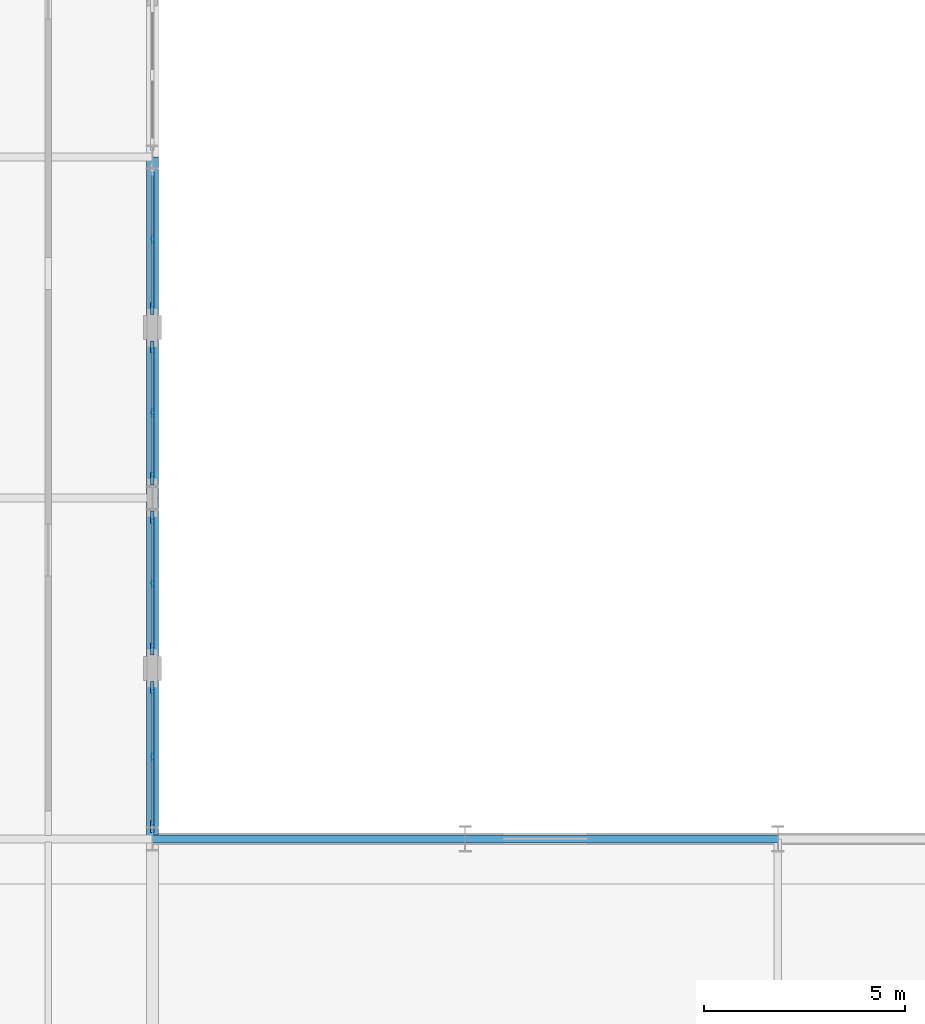
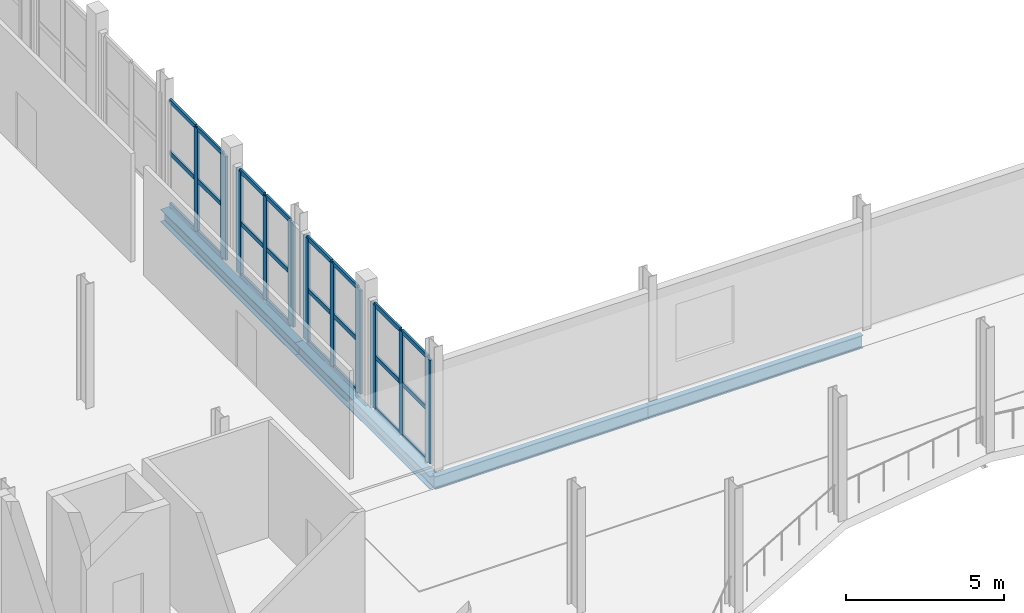
# One storey, part 18 of 63: 35 members, 4 beams, 4 elements without a shape of their own.
"""IFC4 building model written with IfcOpenShell, lengths in metres."""

from ifc_helpers import new_model, si_unit, direction, frame, origin, origin_2d, place, context, subcontext, project, spatial, rectangle, i_section, extrude, material, layer, layer_set, material_profile, profile_set, type_object, element, aggregate, save


model = new_model("IFC4")

# Units and contexts
model_context = context("Model", 3, precision=1e-05, world=origin(), true_north=direction((0.0, 1.0)))
body_context = subcontext(model_context, "Body", "Model", "MODEL_VIEW")
ifc_project = project(units=[si_unit("LENGTHUNIT", "METRE"), si_unit("AREAUNIT", "SQUARE_METRE"), si_unit("VOLUMEUNIT", "CUBIC_METRE"), si_unit("PLANEANGLEUNIT", "RADIAN"), si_unit("MASSUNIT", "GRAM", prefix="KILO")], contexts=[model_context])

# Site, building, storey
site_placement = place(None, origin())
site = spatial("IfcSite", under=ifc_project, at=site_placement, CompositionType="ELEMENT")
building_placement = place(site_placement, origin())
building = spatial("IfcBuilding", under=site, at=building_placement, Name="Sefraquen Railside Congress Hotel", CompositionType="ELEMENT")
storey_placement = place(building_placement, frame((0.0, 0.0, 11.39990234375)))
storey = spatial("IfcBuildingStorey", under=building, at=storey_placement, Name="L02", CompositionType="ELEMENT", Elevation=11.39990234375)

# Beams
ifc_material_1 = material(Name="Steel S355JR", Category="steel")
ifc_material_profile_1 = material_profile(ifc_material_1, i_section(OverallWidth=0.199951171875, OverallDepth=0.5, WebThickness=0.01025390625, FlangeThickness=0.01611328125, FilletRadius=0.02099609375, at=origin_2d()), Name="IPE 500")
ifc_profile_set_1 = profile_set([ifc_material_profile_1], Name="Steel S355JR")
beam_type_1 = type_object("IfcBeamType", Name="TB-BM-500", PredefinedType="BEAM", material=ifc_profile_set_1)
beam_1_placement = place(storey_placement, frame((48.60009765625, 54.0, -0.599853515625), z_axis=(1.0, 0.0, 0.0), x_axis=(0.0, 1.0, 0.0)))
element("IfcBeam", 1, at=beam_1_placement, inside=storey, type_object=beam_type_1, Name="Primary girder BM-L02-0717", PredefinedType="BEAM", context=body_context, shape_type="SweptSolid", body=[
    extrude(i_section(OverallWidth=0.199951171875, OverallDepth=0.5, WebThickness=0.01025390625, FlangeThickness=0.01611328125, FilletRadius=0.02099609375, at=origin_2d()), origin(), (0.0, 0.0, 1.0), 7.7998046875),
])
beam_2_placement = place(storey_placement, frame((56.39990234375, 54.0, -0.599853515625), z_axis=(1.0, 0.0, 0.0), x_axis=(0.0, 1.0, 0.0)))
element("IfcBeam", 2, at=beam_2_placement, inside=storey, type_object=beam_type_1, Name="Primary girder BM-L02-0718", PredefinedType="BEAM", context=body_context, shape_type="SweptSolid", body=[
    extrude(i_section(OverallWidth=0.199951171875, OverallDepth=0.5, WebThickness=0.01025390625, FlangeThickness=0.01611328125, FilletRadius=0.02099609375, at=origin_2d()), origin(), (0.0, 0.0, 1.0), 7.800048828125),
])
ifc_material_profile_2 = material_profile(ifc_material_1, i_section(OverallWidth=0.300048828125, OverallDepth=0.489990234375, WebThickness=0.011962890625, FlangeThickness=0.02294921875, FilletRadius=0.027099609375, at=origin_2d()), Name="HEA 500")
ifc_profile_set_2 = profile_set([ifc_material_profile_2], Name="Steel S355JR")
beam_type_2 = type_object("IfcBeamType", Name="TB-GIR-500", PredefinedType="T_BEAM", material=ifc_profile_set_2)
for number, where, z_axis, x_axis, name in (
    (3, (48.60009765625, 54.0, -0.594970703125), (0.0, 1.0, 0.0), (-1.0, 0.0, 0.0), "Floor beam BM-L02-0881"),
    (4, (48.60009765625, 62.5, -0.594970703125), (0.0, 1.0, 0.0), (-1.0, 0.0, 0.0), "Floor beam BM-L02-0882"),
):
    element("IfcBeam", number, at=place(storey_placement, frame(where, z_axis=z_axis, x_axis=x_axis)), inside=storey, type_object=beam_type_2, Name=name, PredefinedType="T_BEAM", context=body_context, shape_type="SweptSolid", body=[
        extrude(i_section(OverallWidth=0.300048828125, OverallDepth=0.489990234375, WebThickness=0.011962890625, FlangeThickness=0.02294921875, FilletRadius=0.027099609375, at=origin_2d()), origin(), (0.0, 0.0, 1.0), 8.5),
    ])

# Curtain wall, member
ifc_material_2 = material(Name="Thermally broken anodised aluminium and low-E double glazing", Category="aluminium")
ifc_layer = layer(ifc_material_2, 0.199951171875)
ifc_layer_set = layer_set([ifc_layer], Name="Thermally broken anodised aluminium and low-E double glazing")
curtain_wall_type = type_object("IfcCurtainWallType", Name="TCW-UCW-28", PredefinedType="USERDEFINED", material=ifc_layer_set)
curtain_wall_1_placement = place(storey_placement, origin())
curtain_wall_1 = element("IfcCurtainWall", 5, at=curtain_wall_1_placement, inside=storey, type_object=curtain_wall_type, Name="Courtyard west gallery curtain wall L02", ObjectType="UNITISED CURTAIN WALL", PredefinedType="USERDEFINED")
ifc_material_3 = material(Name="Thermally broken anodised aluminium 6063-T6", Category="aluminium")
ifc_material_profile_3 = material_profile(ifc_material_3, rectangle(XDim=0.074951171875, YDim=0.219970703125, at=origin_2d()), Name="CWM 75x220")
ifc_profile_set_3 = profile_set([ifc_material_profile_3], Name="Thermally broken anodised aluminium 6063-T6")
member_type_1 = type_object("IfcMemberType", Name="TM-CWM-04", PredefinedType="MULLION", material=ifc_profile_set_3)
member_1_placement = place(storey_placement, frame((48.60009765625, 56.0400390625, 0.0), z_axis=(0.0, 0.0, 1.0), x_axis=(1.0, 0.0, 0.0)))
member_1 = element("IfcMember", 6, at=member_1_placement, type_object=member_type_1, Name="CW-L02-060 mullion 2", PredefinedType="MULLION", context=body_context, shape_type="SweptSolid", body=[
    extrude(rectangle(XDim=0.074951171875, YDim=0.219970703125, at=origin_2d()), origin(), (0.0, 0.0, 1.0), 3.989990234375),
])

curtain_wall_2_placement = place(storey_placement, origin())
curtain_wall_2 = element("IfcCurtainWall", 7, at=curtain_wall_2_placement, inside=storey, type_object=curtain_wall_type, Name="Courtyard west gallery curtain wall L02 bay 2", ObjectType="UNITISED CURTAIN WALL", PredefinedType="USERDEFINED")
member_2_placement = place(storey_placement, frame((48.60009765625, 60.375, 0.0), z_axis=(0.0, 0.0, 1.0), x_axis=(1.0, 0.0, 0.0)))
member_2 = element("IfcMember", 8, at=member_2_placement, type_object=member_type_1, Name="CW-L02-060-S2 mullion 2", PredefinedType="MULLION", context=body_context, shape_type="SweptSolid", body=[
    extrude(rectangle(XDim=0.074951171875, YDim=0.219970703125, at=origin_2d()), origin(), (0.0, 0.0, 1.0), 3.989990234375),
])

curtain_wall_3_placement = place(storey_placement, origin())
curtain_wall_3 = element("IfcCurtainWall", 9, at=curtain_wall_3_placement, inside=storey, type_object=curtain_wall_type, Name="Courtyard west gallery curtain wall L02 bay 3", ObjectType="UNITISED CURTAIN WALL", PredefinedType="USERDEFINED")
member_3_placement = place(storey_placement, frame((48.60009765625, 64.625, 0.0), z_axis=(0.0, 0.0, 1.0), x_axis=(1.0, 0.0, 0.0)))
member_3 = element("IfcMember", 10, at=member_3_placement, type_object=member_type_1, Name="CW-L02-060-S3 mullion 2", PredefinedType="MULLION", context=body_context, shape_type="SweptSolid", body=[
    extrude(rectangle(XDim=0.074951171875, YDim=0.219970703125, at=origin_2d()), origin(), (0.0, 0.0, 1.0), 3.989990234375),
])

curtain_wall_4_placement = place(storey_placement, origin())
curtain_wall_4 = element("IfcCurtainWall", 11, at=curtain_wall_4_placement, inside=storey, type_object=curtain_wall_type, Name="Courtyard west gallery curtain wall L02 bay 4", ObjectType="UNITISED CURTAIN WALL", PredefinedType="USERDEFINED")
member_4_placement = place(storey_placement, frame((48.60009765625, 68.9599609375, 0.0), z_axis=(0.0, 0.0, 1.0), x_axis=(1.0, 0.0, 0.0)))
member_4 = element("IfcMember", 12, at=member_4_placement, type_object=member_type_1, Name="CW-L02-060-S4 mullion 2", PredefinedType="MULLION", context=body_context, shape_type="SweptSolid", body=[
    extrude(rectangle(XDim=0.074951171875, YDim=0.219970703125, at=origin_2d()), origin(), (0.0, 0.0, 1.0), 3.989990234375),
])

# Member
ifc_material_profile_4 = material_profile(ifc_material_3, rectangle(XDim=0.094970703125, YDim=0.300048828125, at=origin_2d()), Name="CWM 95x300")
ifc_profile_set_4 = profile_set([ifc_material_profile_4], Name="Thermally broken anodised aluminium 6063-T6")
member_type_2 = type_object("IfcMemberType", Name="TM-CWM-08", PredefinedType="MULLION", material=ifc_profile_set_4)
member_5_placement = place(storey_placement, frame((48.60009765625, 54.31005859375, 0.0), z_axis=(0.0, 0.0, 1.0), x_axis=(1.0, 0.0, 0.0)))
member_5 = element("IfcMember", 13, at=member_5_placement, type_object=member_type_2, Name="CW-L02-060 mullion 1", PredefinedType="MULLION", context=body_context, shape_type="SweptSolid", body=[
    extrude(rectangle(XDim=0.094970703125, YDim=0.300048828125, at=origin_2d()), origin(), (0.0, 0.0, 1.0), 3.989990234375),
])

member_6_placement = place(storey_placement, frame((48.60009765625, 57.77001953125, 0.0), z_axis=(0.0, 0.0, 1.0), x_axis=(1.0, 0.0, 0.0)))
member_6 = element("IfcMember", 14, at=member_6_placement, type_object=member_type_2, Name="CW-L02-060 mullion 3", PredefinedType="MULLION", context=body_context, shape_type="SweptSolid", body=[
    extrude(rectangle(XDim=0.094970703125, YDim=0.300048828125, at=origin_2d()), origin(), (0.0, 0.0, 1.0), 3.989990234375),
])

member_7_placement = place(storey_placement, frame((48.60009765625, 58.72998046875, 0.0), z_axis=(0.0, 0.0, 1.0), x_axis=(1.0, 0.0, 0.0)))
member_7 = element("IfcMember", 15, at=member_7_placement, type_object=member_type_2, Name="CW-L02-060-S2 mullion 1", PredefinedType="MULLION", context=body_context, shape_type="SweptSolid", body=[
    extrude(rectangle(XDim=0.094970703125, YDim=0.300048828125, at=origin_2d()), origin(), (0.0, 0.0, 1.0), 3.989990234375),
])

member_8_placement = place(storey_placement, frame((48.60009765625, 62.02001953125, 0.0), z_axis=(0.0, 0.0, 1.0), x_axis=(1.0, 0.0, 0.0)))
member_8 = element("IfcMember", 16, at=member_8_placement, type_object=member_type_2, Name="CW-L02-060-S2 mullion 3", PredefinedType="MULLION", context=body_context, shape_type="SweptSolid", body=[
    extrude(rectangle(XDim=0.094970703125, YDim=0.300048828125, at=origin_2d()), origin(), (0.0, 0.0, 1.0), 3.989990234375),
])

member_9_placement = place(storey_placement, frame((48.60009765625, 62.97998046875, 0.0), z_axis=(0.0, 0.0, 1.0), x_axis=(1.0, 0.0, 0.0)))
member_9 = element("IfcMember", 17, at=member_9_placement, type_object=member_type_2, Name="CW-L02-060-S3 mullion 1", PredefinedType="MULLION", context=body_context, shape_type="SweptSolid", body=[
    extrude(rectangle(XDim=0.094970703125, YDim=0.300048828125, at=origin_2d()), origin(), (0.0, 0.0, 1.0), 3.989990234375),
])

member_10_placement = place(storey_placement, frame((48.60009765625, 66.27001953125, 0.0), z_axis=(0.0, 0.0, 1.0), x_axis=(1.0, 0.0, 0.0)))
member_10 = element("IfcMember", 18, at=member_10_placement, type_object=member_type_2, Name="CW-L02-060-S3 mullion 3", PredefinedType="MULLION", context=body_context, shape_type="SweptSolid", body=[
    extrude(rectangle(XDim=0.094970703125, YDim=0.300048828125, at=origin_2d()), origin(), (0.0, 0.0, 1.0), 3.989990234375),
])

member_11_placement = place(storey_placement, frame((48.60009765625, 67.22998046875, 0.0), z_axis=(0.0, 0.0, 1.0), x_axis=(1.0, 0.0, 0.0)))
member_11 = element("IfcMember", 19, at=member_11_placement, type_object=member_type_2, Name="CW-L02-060-S4 mullion 1", PredefinedType="MULLION", context=body_context, shape_type="SweptSolid", body=[
    extrude(rectangle(XDim=0.094970703125, YDim=0.300048828125, at=origin_2d()), origin(), (0.0, 0.0, 1.0), 3.989990234375),
])

ifc_material_profile_5 = material_profile(ifc_material_3, rectangle(XDim=0.074951171875, YDim=0.1650390625, at=origin_2d()), Name="CWT 75x165")
ifc_profile_set_5 = profile_set([ifc_material_profile_5], Name="Thermally broken anodised aluminium 6063-T6")
member_type_3 = type_object("IfcMemberType", Name="TM-CWT-04", PredefinedType="USERDEFINED", material=ifc_profile_set_5)
member_12_placement = place(storey_placement, frame((48.60009765625, 54.35498046875, 0.0), z_axis=(0.0, 1.0, 0.0), x_axis=(-1.0, 0.0, 0.0)))
member_12 = element("IfcMember", 20, at=member_12_placement, type_object=member_type_3, Name="CW-L02-060 transom 1.1", ObjectType="TRANSOM", PredefinedType="USERDEFINED", context=body_context, shape_type="SweptSolid", body=[
    extrude(rectangle(XDim=0.074951171875, YDim=0.1650390625, at=origin_2d()), origin(), (0.0, 0.0, 1.0), 1.64013671875),
])

member_13_placement = place(storey_placement, frame((48.60009765625, 56.0849609375, 0.0), z_axis=(0.0, 1.0, 0.0), x_axis=(-1.0, 0.0, 0.0)))
member_13 = element("IfcMember", 21, at=member_13_placement, type_object=member_type_3, Name="CW-L02-060 transom 1.2", ObjectType="TRANSOM", PredefinedType="USERDEFINED", context=body_context, shape_type="SweptSolid", body=[
    extrude(rectangle(XDim=0.074951171875, YDim=0.1650390625, at=origin_2d()), origin(), (0.0, 0.0, 1.0), 1.64013671875),
])

member_14_placement = place(storey_placement, frame((48.60009765625, 54.35498046875, 1.9951171875), z_axis=(0.0, 1.0, 0.0), x_axis=(-1.0, 0.0, 0.0)))
member_14 = element("IfcMember", 22, at=member_14_placement, type_object=member_type_3, Name="CW-L02-060 transom 2.1", ObjectType="TRANSOM", PredefinedType="USERDEFINED", context=body_context, shape_type="SweptSolid", body=[
    extrude(rectangle(XDim=0.074951171875, YDim=0.1650390625, at=origin_2d()), origin(), (0.0, 0.0, 1.0), 1.64013671875),
])

member_15_placement = place(storey_placement, frame((48.60009765625, 56.0849609375, 1.9951171875), z_axis=(0.0, 1.0, 0.0), x_axis=(-1.0, 0.0, 0.0)))
member_15 = element("IfcMember", 23, at=member_15_placement, type_object=member_type_3, Name="CW-L02-060 transom 2.2", ObjectType="TRANSOM", PredefinedType="USERDEFINED", context=body_context, shape_type="SweptSolid", body=[
    extrude(rectangle(XDim=0.074951171875, YDim=0.1650390625, at=origin_2d()), origin(), (0.0, 0.0, 1.0), 1.64013671875),
])

member_16_placement = place(storey_placement, frame((48.60009765625, 54.35498046875, 3.989990234375), z_axis=(0.0, 1.0, 0.0), x_axis=(-1.0, 0.0, 0.0)))
member_16 = element("IfcMember", 24, at=member_16_placement, type_object=member_type_3, Name="CW-L02-060 transom 3.1", ObjectType="TRANSOM", PredefinedType="USERDEFINED", context=body_context, shape_type="SweptSolid", body=[
    extrude(rectangle(XDim=0.074951171875, YDim=0.1650390625, at=origin_2d()), origin(), (0.0, 0.0, 1.0), 1.64013671875),
])

member_17_placement = place(storey_placement, frame((48.60009765625, 56.0849609375, 3.989990234375), z_axis=(0.0, 1.0, 0.0), x_axis=(-1.0, 0.0, 0.0)))
member_17 = element("IfcMember", 25, at=member_17_placement, type_object=member_type_3, Name="CW-L02-060 transom 3.2", ObjectType="TRANSOM", PredefinedType="USERDEFINED", context=body_context, shape_type="SweptSolid", body=[
    extrude(rectangle(XDim=0.074951171875, YDim=0.1650390625, at=origin_2d()), origin(), (0.0, 0.0, 1.0), 1.64013671875),
])

aggregate(curtain_wall_1, [member_5, member_1, member_6, member_12, member_13, member_14, member_15, member_16, member_17])

member_18_placement = place(storey_placement, frame((48.60009765625, 58.77490234375, 0.0), z_axis=(0.0, 1.0, 0.0), x_axis=(-1.0, 0.0, 0.0)))
member_18 = element("IfcMember", 26, at=member_18_placement, type_object=member_type_3, Name="CW-L02-060-S2 transom 1.1", ObjectType="TRANSOM", PredefinedType="USERDEFINED", context=body_context, shape_type="SweptSolid", body=[
    extrude(rectangle(XDim=0.074951171875, YDim=0.1650390625, at=origin_2d()), origin(), (0.0, 0.0, 1.0), 1.55517578125),
])

member_19_placement = place(storey_placement, frame((48.60009765625, 60.419921875, 0.0), z_axis=(0.0, 1.0, 0.0), x_axis=(-1.0, 0.0, 0.0)))
member_19 = element("IfcMember", 27, at=member_19_placement, type_object=member_type_3, Name="CW-L02-060-S2 transom 1.2", ObjectType="TRANSOM", PredefinedType="USERDEFINED", context=body_context, shape_type="SweptSolid", body=[
    extrude(rectangle(XDim=0.074951171875, YDim=0.1650390625, at=origin_2d()), origin(), (0.0, 0.0, 1.0), 1.55517578125),
])

member_20_placement = place(storey_placement, frame((48.60009765625, 58.77490234375, 1.9951171875), z_axis=(0.0, 1.0, 0.0), x_axis=(-1.0, 0.0, 0.0)))
member_20 = element("IfcMember", 28, at=member_20_placement, type_object=member_type_3, Name="CW-L02-060-S2 transom 2.1", ObjectType="TRANSOM", PredefinedType="USERDEFINED", context=body_context, shape_type="SweptSolid", body=[
    extrude(rectangle(XDim=0.074951171875, YDim=0.1650390625, at=origin_2d()), origin(), (0.0, 0.0, 1.0), 1.55517578125),
])

member_21_placement = place(storey_placement, frame((48.60009765625, 60.419921875, 1.9951171875), z_axis=(0.0, 1.0, 0.0), x_axis=(-1.0, 0.0, 0.0)))
member_21 = element("IfcMember", 29, at=member_21_placement, type_object=member_type_3, Name="CW-L02-060-S2 transom 2.2", ObjectType="TRANSOM", PredefinedType="USERDEFINED", context=body_context, shape_type="SweptSolid", body=[
    extrude(rectangle(XDim=0.074951171875, YDim=0.1650390625, at=origin_2d()), origin(), (0.0, 0.0, 1.0), 1.55517578125),
])

member_22_placement = place(storey_placement, frame((48.60009765625, 58.77490234375, 3.989990234375), z_axis=(0.0, 1.0, 0.0), x_axis=(-1.0, 0.0, 0.0)))
member_22 = element("IfcMember", 30, at=member_22_placement, type_object=member_type_3, Name="CW-L02-060-S2 transom 3.1", ObjectType="TRANSOM", PredefinedType="USERDEFINED", context=body_context, shape_type="SweptSolid", body=[
    extrude(rectangle(XDim=0.074951171875, YDim=0.1650390625, at=origin_2d()), origin(), (0.0, 0.0, 1.0), 1.55517578125),
])

member_23_placement = place(storey_placement, frame((48.60009765625, 60.419921875, 3.989990234375), z_axis=(0.0, 1.0, 0.0), x_axis=(-1.0, 0.0, 0.0)))
member_23 = element("IfcMember", 31, at=member_23_placement, type_object=member_type_3, Name="CW-L02-060-S2 transom 3.2", ObjectType="TRANSOM", PredefinedType="USERDEFINED", context=body_context, shape_type="SweptSolid", body=[
    extrude(rectangle(XDim=0.074951171875, YDim=0.1650390625, at=origin_2d()), origin(), (0.0, 0.0, 1.0), 1.55517578125),
])

aggregate(curtain_wall_2, [member_7, member_2, member_8, member_18, member_19, member_20, member_21, member_22, member_23])

member_24_placement = place(storey_placement, frame((48.60009765625, 63.02490234375, 0.0), z_axis=(0.0, 1.0, 0.0), x_axis=(-1.0, 0.0, 0.0)))
member_24 = element("IfcMember", 32, at=member_24_placement, type_object=member_type_3, Name="CW-L02-060-S3 transom 1.1", ObjectType="TRANSOM", PredefinedType="USERDEFINED", context=body_context, shape_type="SweptSolid", body=[
    extrude(rectangle(XDim=0.074951171875, YDim=0.1650390625, at=origin_2d()), origin(), (0.0, 0.0, 1.0), 1.55517578125),
])

member_25_placement = place(storey_placement, frame((48.60009765625, 64.669921875, 0.0), z_axis=(0.0, 1.0, 0.0), x_axis=(-1.0, 0.0, 0.0)))
member_25 = element("IfcMember", 33, at=member_25_placement, type_object=member_type_3, Name="CW-L02-060-S3 transom 1.2", ObjectType="TRANSOM", PredefinedType="USERDEFINED", context=body_context, shape_type="SweptSolid", body=[
    extrude(rectangle(XDim=0.074951171875, YDim=0.1650390625, at=origin_2d()), origin(), (0.0, 0.0, 1.0), 1.55517578125),
])

member_26_placement = place(storey_placement, frame((48.60009765625, 63.02490234375, 1.9951171875), z_axis=(0.0, 1.0, 0.0), x_axis=(-1.0, 0.0, 0.0)))
member_26 = element("IfcMember", 34, at=member_26_placement, type_object=member_type_3, Name="CW-L02-060-S3 transom 2.1", ObjectType="TRANSOM", PredefinedType="USERDEFINED", context=body_context, shape_type="SweptSolid", body=[
    extrude(rectangle(XDim=0.074951171875, YDim=0.1650390625, at=origin_2d()), origin(), (0.0, 0.0, 1.0), 1.55517578125),
])

member_27_placement = place(storey_placement, frame((48.60009765625, 64.669921875, 1.9951171875), z_axis=(0.0, 1.0, 0.0), x_axis=(-1.0, 0.0, 0.0)))
member_27 = element("IfcMember", 35, at=member_27_placement, type_object=member_type_3, Name="CW-L02-060-S3 transom 2.2", ObjectType="TRANSOM", PredefinedType="USERDEFINED", context=body_context, shape_type="SweptSolid", body=[
    extrude(rectangle(XDim=0.074951171875, YDim=0.1650390625, at=origin_2d()), origin(), (0.0, 0.0, 1.0), 1.55517578125),
])

member_28_placement = place(storey_placement, frame((48.60009765625, 63.02490234375, 3.989990234375), z_axis=(0.0, 1.0, 0.0), x_axis=(-1.0, 0.0, 0.0)))
member_28 = element("IfcMember", 36, at=member_28_placement, type_object=member_type_3, Name="CW-L02-060-S3 transom 3.1", ObjectType="TRANSOM", PredefinedType="USERDEFINED", context=body_context, shape_type="SweptSolid", body=[
    extrude(rectangle(XDim=0.074951171875, YDim=0.1650390625, at=origin_2d()), origin(), (0.0, 0.0, 1.0), 1.55517578125),
])

member_29_placement = place(storey_placement, frame((48.60009765625, 64.669921875, 3.989990234375), z_axis=(0.0, 1.0, 0.0), x_axis=(-1.0, 0.0, 0.0)))
member_29 = element("IfcMember", 37, at=member_29_placement, type_object=member_type_3, Name="CW-L02-060-S3 transom 3.2", ObjectType="TRANSOM", PredefinedType="USERDEFINED", context=body_context, shape_type="SweptSolid", body=[
    extrude(rectangle(XDim=0.074951171875, YDim=0.1650390625, at=origin_2d()), origin(), (0.0, 0.0, 1.0), 1.55517578125),
])

aggregate(curtain_wall_3, [member_9, member_3, member_10, member_24, member_25, member_26, member_27, member_28, member_29])

member_30_placement = place(storey_placement, frame((48.60009765625, 67.27490234375, 0.0), z_axis=(0.0, 1.0, 0.0), x_axis=(-1.0, 0.0, 0.0)))
member_30 = element("IfcMember", 38, at=member_30_placement, type_object=member_type_3, Name="CW-L02-060-S4 transom 1.1", ObjectType="TRANSOM", PredefinedType="USERDEFINED", context=body_context, shape_type="SweptSolid", body=[
    extrude(rectangle(XDim=0.074951171875, YDim=0.1650390625, at=origin_2d()), origin(), (0.0, 0.0, 1.0), 1.64013671875),
])

member_31_placement = place(storey_placement, frame((48.60009765625, 69.0048828125, 0.0), z_axis=(0.0, 1.0, 0.0), x_axis=(-1.0, 0.0, 0.0)))
member_31 = element("IfcMember", 39, at=member_31_placement, type_object=member_type_3, Name="CW-L02-060-S4 transom 1.2", ObjectType="TRANSOM", PredefinedType="USERDEFINED", context=body_context, shape_type="SweptSolid", body=[
    extrude(rectangle(XDim=0.074951171875, YDim=0.1650390625, at=origin_2d()), origin(), (0.0, 0.0, 1.0), 1.64013671875),
])

member_32_placement = place(storey_placement, frame((48.60009765625, 67.27490234375, 1.9951171875), z_axis=(0.0, 1.0, 0.0), x_axis=(-1.0, 0.0, 0.0)))
member_32 = element("IfcMember", 40, at=member_32_placement, type_object=member_type_3, Name="CW-L02-060-S4 transom 2.1", ObjectType="TRANSOM", PredefinedType="USERDEFINED", context=body_context, shape_type="SweptSolid", body=[
    extrude(rectangle(XDim=0.074951171875, YDim=0.1650390625, at=origin_2d()), origin(), (0.0, 0.0, 1.0), 1.64013671875),
])

member_33_placement = place(storey_placement, frame((48.60009765625, 69.0048828125, 1.9951171875), z_axis=(0.0, 1.0, 0.0), x_axis=(-1.0, 0.0, 0.0)))
member_33 = element("IfcMember", 41, at=member_33_placement, type_object=member_type_3, Name="CW-L02-060-S4 transom 2.2", ObjectType="TRANSOM", PredefinedType="USERDEFINED", context=body_context, shape_type="SweptSolid", body=[
    extrude(rectangle(XDim=0.074951171875, YDim=0.1650390625, at=origin_2d()), origin(), (0.0, 0.0, 1.0), 1.64013671875),
])

member_34_placement = place(storey_placement, frame((48.60009765625, 67.27490234375, 3.989990234375), z_axis=(0.0, 1.0, 0.0), x_axis=(-1.0, 0.0, 0.0)))
member_34 = element("IfcMember", 42, at=member_34_placement, type_object=member_type_3, Name="CW-L02-060-S4 transom 3.1", ObjectType="TRANSOM", PredefinedType="USERDEFINED", context=body_context, shape_type="SweptSolid", body=[
    extrude(rectangle(XDim=0.074951171875, YDim=0.1650390625, at=origin_2d()), origin(), (0.0, 0.0, 1.0), 1.64013671875),
])

member_35_placement = place(storey_placement, frame((48.60009765625, 69.0048828125, 3.989990234375), z_axis=(0.0, 1.0, 0.0), x_axis=(-1.0, 0.0, 0.0)))
member_35 = element("IfcMember", 43, at=member_35_placement, type_object=member_type_3, Name="CW-L02-060-S4 transom 3.2", ObjectType="TRANSOM", PredefinedType="USERDEFINED", context=body_context, shape_type="SweptSolid", body=[
    extrude(rectangle(XDim=0.074951171875, YDim=0.1650390625, at=origin_2d()), origin(), (0.0, 0.0, 1.0), 1.64013671875),
])

aggregate(curtain_wall_4, [member_11, member_4, member_30, member_31, member_32, member_33, member_34, member_35])

save(model, "model.ifc")
